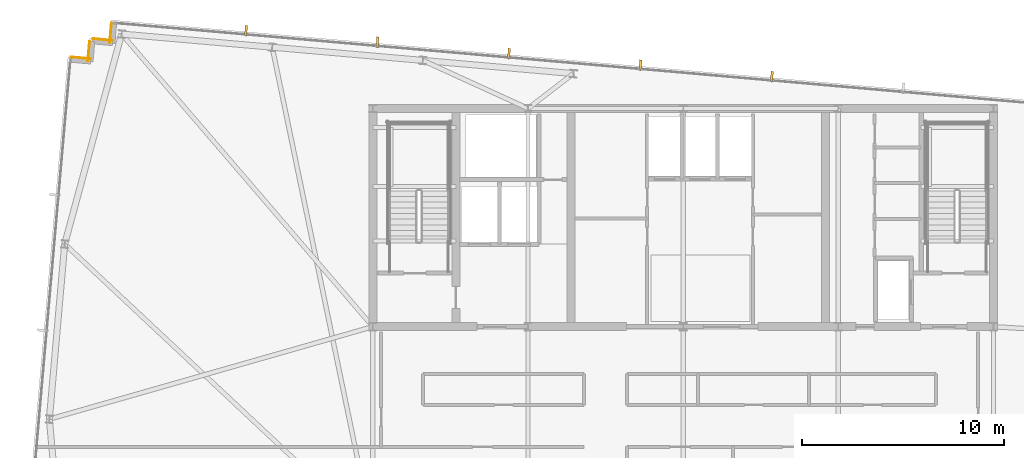
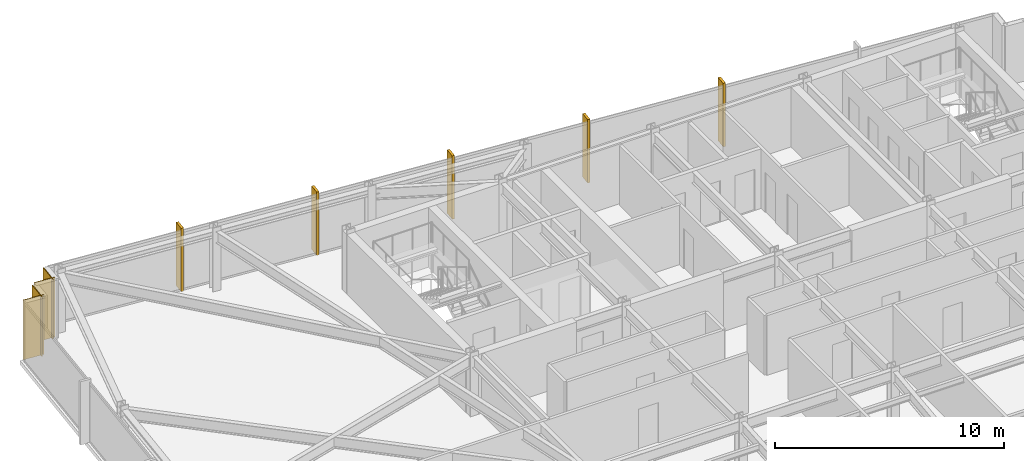
# One storey, part 32 of 32: 5 shading devices, 4 coverings.
"""IFC4 building model written with IfcOpenShell, lengths in metres."""

import ifcopenshell
import ifcopenshell.guid

model = None  # the IFC model being written
_history = None  # IfcOwnerHistory: only IFC2X3 demands one
_inside = {}  # id of a spatial element -> (the spatial element, [elements in it])
_under = {}  # id of a project, library or spatial element -> (it, [spatial elements below it])
_declared = {}  # id of a project -> (the project, [libraries it declares])
_typed = {}  # id of a type object -> (the type object, [elements of that type])
_made_of = {}  # id of a material, layer set ... -> (it, [elements and type objects made of it])


def new_model(schema):
    """Start an empty IFC model of exactly this schema.

    Asked for "IFC4X3", IfcOpenShell would pick the latest addendum, in which some entities
    have other attributes; the version numbers below select the first issue.
    IFC2X3 requires an IfcOwnerHistory on every rooted entity: one is made here for all.
    """
    global model, _history
    if schema == "IFC4X3":
        model = ifcopenshell.file(schema_version=(4, 3, 0, 0))
    else:
        model = ifcopenshell.file(schema=schema)
    _inside.clear()
    _under.clear()
    _declared.clear()
    _typed.clear()
    _made_of.clear()
    _history = None
    if model.schema == "IFC2X3":
        org = make("IfcOrganization", Name="unknown")
        user = make(
            "IfcPersonAndOrganization",
            ThePerson=make("IfcPerson", FamilyName="unknown"),
            TheOrganization=org,
        )
        app = make(
            "IfcApplication",
            ApplicationDeveloper=org,
            Version="unknown",
            ApplicationFullName="unknown",
            ApplicationIdentifier="unknown",
        )
        _history = make(
            "IfcOwnerHistory",
            OwningUser=user,
            OwningApplication=app,
            ChangeAction="ADDED",
            CreationDate=0,
        )
    return model


def make(cls, **values):
    """One entity of the class cls with the attributes given. An attribute that is None is left unset."""
    return model.create_entity(
        cls, **{name: value for name, value in values.items() if value is not None}
    )


def rooted(cls, **values):
    """An entity with a GlobalId (a new one), such as an element, a storey or a relation."""
    return make(cls, GlobalId=ifcopenshell.guid.new(), OwnerHistory=_history, **values)


def si_unit(unit_type, name, prefix=None):
    """IfcSIUnit, for example si_unit("LENGTHUNIT", "METRE", prefix="MILLI")."""
    return make("IfcSIUnit", UnitType=unit_type, Prefix=prefix, Name=name)


def assignment(units):
    """IfcUnitAssignment: the units of a project."""
    return None if units is None else make("IfcUnitAssignment", Units=units)


def point(xyz):
    """IfcCartesianPoint."""
    return None if xyz is None else make("IfcCartesianPoint", Coordinates=xyz)


def direction(xyz):
    """IfcDirection."""
    return None if xyz is None else make("IfcDirection", DirectionRatios=xyz)


def frame(location, z_axis=None, x_axis=None):
    """IfcAxis2Placement3D, a coordinate frame: its origin and axes. An axis left out is left unset."""
    return make(
        "IfcAxis2Placement3D",
        Location=point(location),
        Axis=direction(z_axis),
        RefDirection=direction(x_axis),
    )


def frame_2d(location, x_axis=None):
    """IfcAxis2Placement2D, a coordinate frame in the plane: its origin and x axis."""
    return make(
        "IfcAxis2Placement2D", Location=point(location), RefDirection=direction(x_axis)
    )


def origin():
    """The frame at (0, 0, 0) with its axes left unset."""
    return frame((0.0, 0.0, 0.0))


def origin_2d():
    """The frame at (0, 0) in the plane with its x axis left unset."""
    return frame_2d((0.0, 0.0))


def place(relative_to, where):
    """IfcLocalPlacement: puts the frame where relative to a parent placement (None: the world)."""
    return make(
        "IfcLocalPlacement", PlacementRelTo=relative_to, RelativePlacement=where
    )


def context(
    kind, dimensions, precision=None, world=None, true_north=None, identifier=None
):
    """IfcGeometricRepresentationContext, for example the 3D "Model" context."""
    return make(
        "IfcGeometricRepresentationContext",
        ContextIdentifier=identifier,
        ContextType=kind,
        CoordinateSpaceDimension=dimensions,
        Precision=precision,
        WorldCoordinateSystem=world,
        TrueNorth=true_north,
    )


def subcontext(parent, identifier, kind, view, scale=None):
    """IfcGeometricRepresentationSubContext, for example "Body" below "Model"."""
    return make(
        "IfcGeometricRepresentationSubContext",
        ContextIdentifier=identifier,
        ContextType=kind,
        ParentContext=parent,
        TargetScale=scale,
        TargetView=view,
    )


def project(units=None, contexts=None):
    """IfcProject with its units and contexts."""
    return rooted(
        "IfcProject",
        Name="project",
        RepresentationContexts=contexts,
        UnitsInContext=assignment(units),
    )


def spatial(cls, under=None, at=None, **own):
    """A site, building, storey or space (cls), placed at a placement, below another one or the project."""
    s = rooted(cls, ObjectPlacement=at, **own)
    if under is not None:
        _under.setdefault(under.id(), (under, []))[1].append(s)
    return s


def profile(cls, at=None, kind="AREA", **sizes):
    """A parametric profile (cls). Its sizes go by their IFC names, for example OverallWidth=200.0."""
    return make(cls, ProfileType=kind, Position=at, **sizes)


def rectangle(**sizes):
    """IfcRectangleProfileDef."""
    return profile("IfcRectangleProfileDef", **sizes)


def extrude(swept, where, along, depth):
    """IfcExtrudedAreaSolid: the profile swept, set in the frame where, extruded along a direction by depth."""
    return make(
        "IfcExtrudedAreaSolid",
        SweptArea=swept,
        Position=where,
        ExtrudedDirection=direction(along),
        Depth=depth,
    )


def shape(context_of_items, identifier, shape_type, items):
    """IfcShapeRepresentation: the items that make up one representation, for example the "Body"."""
    return make(
        "IfcShapeRepresentation",
        ContextOfItems=context_of_items,
        RepresentationIdentifier=identifier,
        RepresentationType=shape_type,
        Items=items,
    )


def material(Name=None, Category=None):
    """IfcMaterial."""
    return make("IfcMaterial", Name=Name, Category=Category)


def layer(
    of_material, thickness, ventilated=None, Name=None, Category=None, Priority=None
):
    """IfcMaterialLayer: one layer of a wall or slab, of a material (None: an air gap)."""
    return make(
        "IfcMaterialLayer",
        Material=of_material,
        LayerThickness=thickness,
        IsVentilated=ventilated,
        Name=Name,
        Category=Category,
        Priority=Priority,
    )


def layer_set(layers, Name=None):
    """IfcMaterialLayerSet."""
    return make("IfcMaterialLayerSet", MaterialLayers=layers, LayerSetName=Name)


def made_of(thing, what):
    """Note that an element or type object is made of a material, layer set ...; save() writes the relation."""
    if what is not None:
        _made_of.setdefault(what.id(), (what, []))[1].append(thing)
    return thing


def type_object(cls, material=None, **own):
    """A type object (cls), such as IfcWallType, which elements share."""
    return made_of(rooted(cls, **own), material)


def element(
    cls,
    number,
    at=None,
    inside=None,
    cuts=None,
    type_object=None,
    material=None,
    context=None,
    identifier="Body",
    shape_type=None,
    held_by="IfcProductDefinitionShape",
    body=None,
    shapes=None,
    **own,
):
    """One element of the class cls, such as IfcWall. Its Tag is "e" and its number.

    at: its placement. inside: the storey or other place that contains it. cuts: it is an
    opening in that element (IfcRelVoidsElement). A single representation is given by context,
    identifier, shape_type and body (its items); several are given by shapes. held_by: the class
    of the entity that holds the representations. save() writes the other relations.
    """
    e = rooted(cls, Tag="e%d" % number, ObjectPlacement=at, **own)
    if body is not None:
        shapes = [shape(context, identifier, shape_type, body)]
    if shapes is not None:
        e.Representation = make(held_by, Representations=shapes)
    if inside is not None:
        _inside.setdefault(inside.id(), (inside, []))[1].append(e)
    if cuts is not None:
        rooted(
            "IfcRelVoidsElement", RelatingBuildingElement=cuts, RelatedOpeningElement=e
        )
    if type_object is not None:
        _typed.setdefault(type_object.id(), (type_object, []))[1].append(e)
    return made_of(e, material)


def aggregate(whole, parts):
    """IfcRelAggregates: a whole, such as a stair, and the parts it consists of."""
    return rooted("IfcRelAggregates", RelatingObject=whole, RelatedObjects=parts)


def save(model, path):
    """Write the relations noted so far, then the file.

    IfcRelAggregates (storeys below a building ...), IfcRelContainedInSpatialStructure (elements
    in a storey), IfcRelDefinesByType, IfcRelAssociatesMaterial and IfcRelDeclares: one each for
    every whole, place, type object, material and project.
    """
    for whole, parts in _under.values():
        aggregate(whole, parts)
    for where, things in _inside.values():
        rooted(
            "IfcRelContainedInSpatialStructure",
            RelatedElements=things,
            RelatingStructure=where,
        )
    for kind, things in _typed.values():
        rooted("IfcRelDefinesByType", RelatedObjects=things, RelatingType=kind)
    for what, things in _made_of.values():
        rooted("IfcRelAssociatesMaterial", RelatedObjects=things, RelatingMaterial=what)
    for by, libraries in _declared.values():
        rooted("IfcRelDeclares", RelatingContext=by, RelatedDefinitions=libraries)
    model.write(path)


model = new_model("IFC4")

# Units and contexts
model_context = context("Model", 3, precision=1e-05, world=origin(), true_north=direction((0.0, 1.0)))
body_context = subcontext(model_context, "Body", "Model", "MODEL_VIEW")
ifc_project = project(units=[si_unit("LENGTHUNIT", "METRE"), si_unit("AREAUNIT", "SQUARE_METRE"), si_unit("VOLUMEUNIT", "CUBIC_METRE"), si_unit("PLANEANGLEUNIT", "RADIAN"), si_unit("MASSUNIT", "GRAM", prefix="KILO")], contexts=[model_context])

# Site, building, storey
site_placement = place(None, origin())
site = spatial("IfcSite", under=ifc_project, at=site_placement, CompositionType="ELEMENT")
building_placement = place(site_placement, origin())
building = spatial("IfcBuilding", under=site, at=building_placement, Name="Yelkora Congress Tower", CompositionType="ELEMENT")
storey_placement = place(building_placement, frame((0.0, 0.0, 293.10009765625)))
storey = spatial("IfcBuildingStorey", under=building, at=storey_placement, Name="L82", CompositionType="ELEMENT", Elevation=293.10009765625)

# Coverings
ifc_material_1 = material(Name="Anatolian bush-hammered limestone", Category="masonry")
ifc_layer_1 = layer(ifc_material_1, 0.0400390625)
ifc_layer_set_1 = layer_set([ifc_layer_1], Name="Anatolian bush-hammered limestone")
covering_type = type_object("IfcCoveringType", Name="COV-CLAD-SPANDREL-40", PredefinedType="CLADDING", material=ifc_layer_set_1)
for number, where, z_axis, x_axis, name in (
    (1, (8.0849609375, 48.744140625, 0.0), (0.0, 0.0, 1.0), (0.996195572005, -0.087145753297, 0.0), "L82 Anatolian Limestone Cladding EW-L82-SR06"),
    (2, (8.93505859375, 48.5341796875, 0.0), (0.0, 0.0, 1.0), (0.087145753297, 0.996195572005, 0.0), "L82 Anatolian Limestone Cladding EW-L82-SR07"),
):
    element("IfcCovering", number, at=place(storey_placement, frame(where, z_axis=z_axis, x_axis=x_axis)), inside=storey, type_object=covering_type, Name=name, PredefinedType="CLADDING", context=body_context, shape_type="SweptSolid", body=[
        extrude(rectangle(XDim=1.000244140625, YDim=0.0400390625, at=frame_2d((0.5, 0.0))), origin(), (0.0, 0.0, 1.0), 3.179931640625),
    ])
covering_1_placement = place(storey_placement, frame((9.16845703125, 49.6533203125, 0.0), z_axis=(0.0, 0.0, 1.0), x_axis=(0.996193717496, -0.087166950281, 0.0)))
element("IfcCovering", 3, at=covering_1_placement, inside=storey, type_object=covering_type, Name="L82 Anatolian Limestone Cladding EW-L82-SR08", PredefinedType="CLADDING", context=body_context, shape_type="SweptSolid", body=[
    extrude(rectangle(XDim=1.0, YDim=0.0400390625, at=frame_2d((0.5, 0.0))), origin(), (0.0, 0.0, 1.0), 3.179931640625),
])
covering_2_placement = place(storey_placement, frame((10.018310546875, 49.443359375, 0.0), z_axis=(0.0, 0.0, 1.0), x_axis=(0.087145753297, 0.996195572005, 0.0)))
element("IfcCovering", 4, at=covering_2_placement, inside=storey, type_object=covering_type, Name="L82 Anatolian Limestone Cladding EW-L82-SR09", PredefinedType="CLADDING", context=body_context, shape_type="SweptSolid", body=[
    extrude(rectangle(XDim=1.000244140625, YDim=0.0400390625, at=frame_2d((0.5, 0.0))), origin(), (0.0, 0.0, 1.0), 3.179931640625),
])

# Shading devices
ifc_material_2 = material(Name="Champagne anodised aluminium", Category="aluminium")
ifc_layer_2 = layer(ifc_material_2, 3.300048828125)
ifc_layer_set_2 = layer_set([ifc_layer_2], Name="Champagne anodised aluminium")
shading_device_type = type_object("IfcShadingDeviceType", Name="SHD-FIN-ALU-520", PredefinedType="USERDEFINED", material=ifc_layer_set_2)
for number, where, z_axis, x_axis, name in (
    (5, (16.763916015625, 50.057861328125, -0.030029296875), (0.0, 0.0, 1.0), (0.996194698092, -0.087155742748, 0.0), "L82 Vertical Anodised Solar Fin 10-1"),
    (6, (23.2705078125, 49.488525390625, -0.030029296875), (0.0, 0.0, 1.0), (0.996194698092, -0.087155742748, 0.0), "L82 Vertical Anodised Solar Fin 10-2"),
    (7, (29.777099609375, 48.919189453125, -0.030029296875), (0.0, 0.0, 1.0), (0.996194698092, -0.087155742748, 0.0), "L82 Vertical Anodised Solar Fin 10-3"),
    (8, (36.28369140625, 48.35009765625, -0.030029296875), (0.0, 0.0, 1.0), (0.996194698092, -0.087155742748, 0.0), "L82 Vertical Anodised Solar Fin 10-4"),
    (9, (42.790283203125, 47.78076171875, -0.030029296875), (0.0, 0.0, 1.0), (0.996194698092, -0.087155742748, 0.0), "L82 Vertical Anodised Solar Fin 10-5"),
):
    element("IfcShadingDevice", number, at=place(storey_placement, frame(where, z_axis=z_axis, x_axis=x_axis)), inside=storey, type_object=shading_device_type, Name=name, ObjectType="FIN", PredefinedType="USERDEFINED", context=body_context, shape_type="SweptSolid", body=[
        extrude(rectangle(XDim=0.1201171875, YDim=0.52001953125, at=origin_2d()), origin(), (0.0, 0.0, 1.0), 3.3798828125),
    ])

save(model, "model.ifc")
